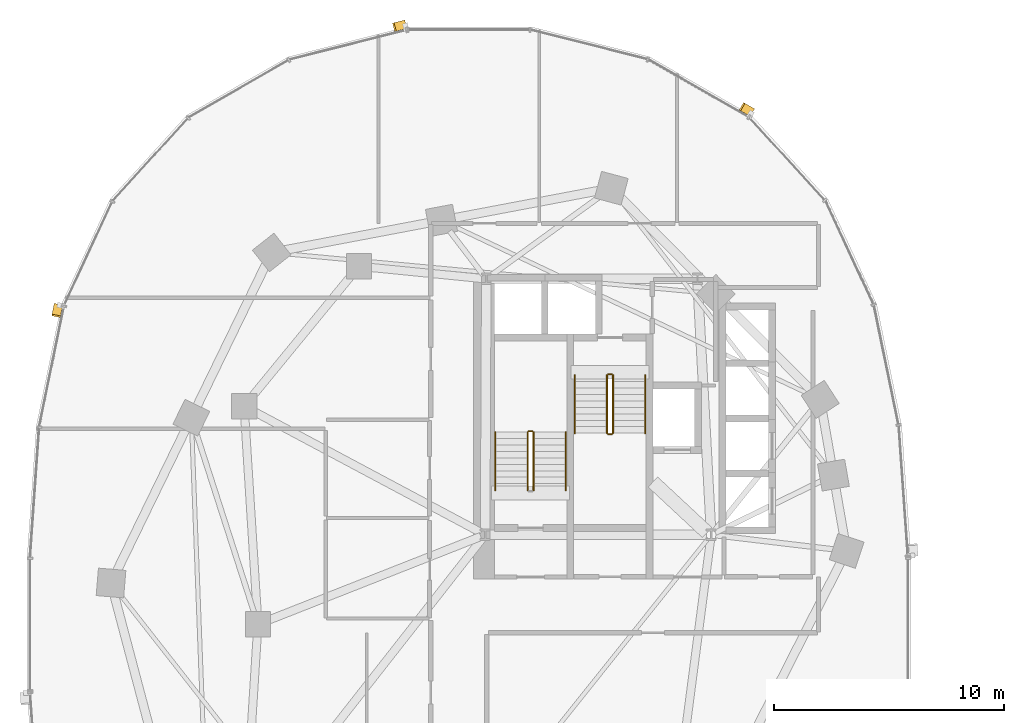
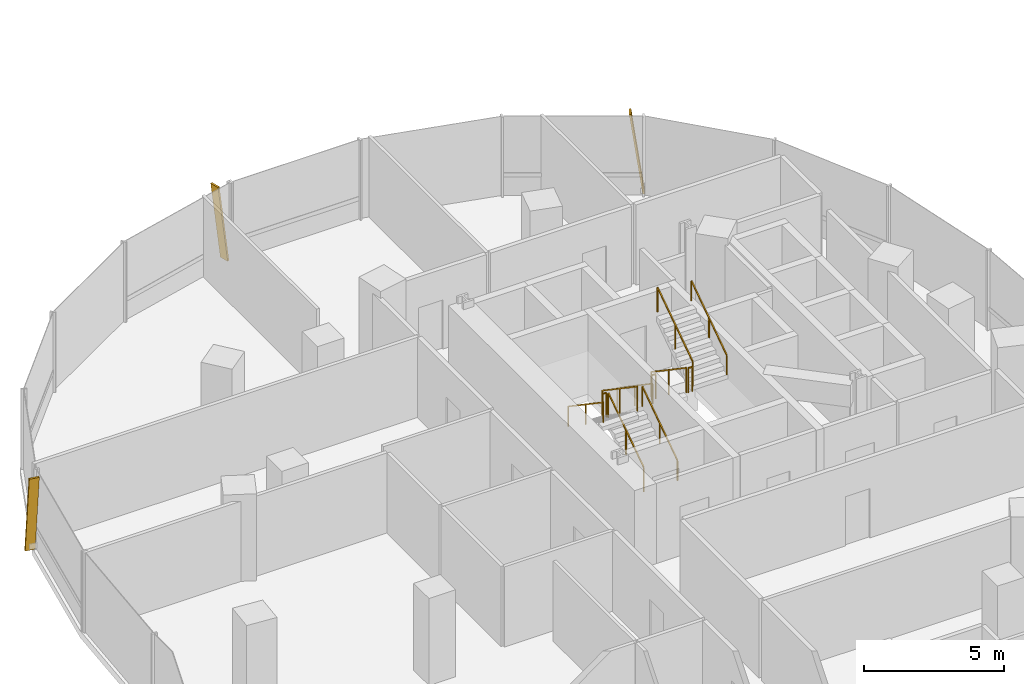
# One storey, part 20 of 22: 11 railings, 3 shading devices.
"""IFC4 building model written with IfcOpenShell, lengths in metres."""

from ifc_helpers import new_model, si_unit, direction, frame, origin, origin_2d, place, context, subcontext, project, spatial, rectangle, extrude, material, material_profile, profile_set, type_object, element, save


model = new_model("IFC4")

# Units and contexts
model_context = context("Model", 3, precision=1e-05, world=origin(), true_north=direction((0.0, 1.0)))
body_context = subcontext(model_context, "Body", "Model", "MODEL_VIEW")
ifc_project = project(units=[si_unit("LENGTHUNIT", "METRE"), si_unit("AREAUNIT", "SQUARE_METRE"), si_unit("VOLUMEUNIT", "CUBIC_METRE"), si_unit("PLANEANGLEUNIT", "RADIAN"), si_unit("MASSUNIT", "GRAM", prefix="KILO"), si_unit("THERMODYNAMICTEMPERATUREUNIT", "KELVIN"), si_unit("POWERUNIT", "WATT")], contexts=[model_context])

# Site, building, storey
site_placement = place(None, origin())
site = spatial("IfcSite", under=ifc_project, at=site_placement, CompositionType="ELEMENT")
building_placement = place(site_placement, origin())
building = spatial("IfcBuilding", under=site, at=building_placement, Name="Cundina Bronze Exchange", CompositionType="ELEMENT")
storey_placement = place(building_placement, frame((0.0, 0.0, 35.39990234375)))
storey = spatial("IfcBuildingStorey", under=building, at=storey_placement, Name="L08", CompositionType="ELEMENT", Elevation=35.39990234375)

# Railings
ifc_material_1 = material(Name="Steel ASTM A36 Painted", Category="steel")
railing_type_1 = type_object("IfcRailingType", Name="RLG-HND-900", PredefinedType="HANDRAIL", material=ifc_material_1)
railing_1_placement = place(storey_placement, frame((-27.7900390625, 5.85009765625, 0.190185546875)))
element("IfcRailing", 1, at=railing_1_placement, inside=storey, type_object=railing_type_1, Name="L08 ST-W1 stair handrail 1", PredefinedType="HANDRAIL", context=body_context, shape_type="SweptSolid", body=[
    extrude(rectangle(XDim=0.048095703125, YDim=0.048095703125, at=origin_2d()), frame((0.0, 0.0, 0.8759765625), z_axis=(0.0, 0.827483756001, 0.561489655786), x_axis=(-1.0, 0.0, 0.0)), (0.0, 0.0, 1.0), 3.04541015625),
    extrude(rectangle(XDim=0.0419921875, YDim=0.0419921875, at=origin_2d()), origin(), (0.0, 0.0, 1.0), 0.851806640625),
    extrude(rectangle(XDim=0.0419921875, YDim=0.0419921875, at=origin_2d()), frame((0.0, 1.260009765625, 0.85498046875)), (0.0, 0.0, 1.0), 0.851806640625),
    extrude(rectangle(XDim=0.0419921875, YDim=0.0419921875, at=origin_2d()), frame((0.0, 2.52001953125, 1.7099609375)), (0.0, 0.0, 1.0), 0.851806640625),
])
for number, where, name in (
    (2, (-30.85009765625, 8.3701171875, 2.090087890625), "L08 ST-W1 stair handrail 2"),
    (3, (-27.389892578125, 10.85009765625, 0.190185546875), "L08 ST-W2 stair handrail 1"),
):
    element("IfcRailing", number, at=place(storey_placement, frame(where)), inside=storey, type_object=railing_type_1, Name=name, PredefinedType="HANDRAIL", context=body_context, shape_type="SweptSolid", body=[
        extrude(rectangle(XDim=0.048095703125, YDim=0.048095703125, at=origin_2d()), frame((0.0, 0.0, 0.8759765625), z_axis=(0.0, -0.827483756001, 0.561489655786), x_axis=(1.0, 0.0, 0.0)), (0.0, 0.0, 1.0), 3.04541015625),
        extrude(rectangle(XDim=0.0419921875, YDim=0.0419921875, at=origin_2d()), origin(), (0.0, 0.0, 1.0), 0.851806640625),
        extrude(rectangle(XDim=0.0419921875, YDim=0.0419921875, at=origin_2d()), frame((0.0, -1.260009765625, 0.85498046875)), (0.0, 0.0, 1.0), 0.851806640625),
        extrude(rectangle(XDim=0.0419921875, YDim=0.0419921875, at=origin_2d()), frame((0.0, -2.52001953125, 1.7099609375)), (0.0, 0.0, 1.0), 0.851806640625),
    ])
railing_2_placement = place(storey_placement, frame((-24.330078125, 8.330078125, 2.090087890625)))
element("IfcRailing", 4, at=railing_2_placement, inside=storey, type_object=railing_type_1, Name="L08 ST-W2 stair handrail 2", PredefinedType="HANDRAIL", context=body_context, shape_type="SweptSolid", body=[
    extrude(rectangle(XDim=0.048095703125, YDim=0.048095703125, at=origin_2d()), frame((0.0, 0.0, 0.8759765625), z_axis=(0.0, 0.827483756001, 0.561489655786), x_axis=(-1.0, 0.0, 0.0)), (0.0, 0.0, 1.0), 3.04541015625),
    extrude(rectangle(XDim=0.0419921875, YDim=0.0419921875, at=origin_2d()), origin(), (0.0, 0.0, 1.0), 0.851806640625),
    extrude(rectangle(XDim=0.0419921875, YDim=0.0419921875, at=origin_2d()), frame((0.0, 1.260009765625, 0.85498046875)), (0.0, 0.0, 1.0), 0.851806640625),
    extrude(rectangle(XDim=0.0419921875, YDim=0.0419921875, at=origin_2d()), frame((0.0, 2.52001953125, 1.7099609375)), (0.0, 0.0, 1.0), 0.851806640625),
])
railing_type_2 = type_object("IfcRailingType", Name="RLG-STG-1100", PredefinedType="GUARDRAIL", material=ifc_material_1)
railing_3_placement = place(storey_placement, frame((-29.18994140625, 5.85009765625, 0.190185546875)))
element("IfcRailing", 5, at=railing_3_placement, inside=storey, type_object=railing_type_2, Name="L08 ST-W1 stair guard 1", PredefinedType="GUARDRAIL", context=body_context, shape_type="SweptSolid", body=[
    extrude(rectangle(XDim=0.048095703125, YDim=0.048095703125, at=origin_2d()), frame((0.0, 0.0, 1.076171875), z_axis=(0.0, 0.827483756001, 0.561489655786), x_axis=(-1.0, 0.0, 0.0)), (0.0, 0.0, 1.0), 3.04541015625),
    extrude(rectangle(XDim=0.0419921875, YDim=0.0419921875, at=origin_2d()), origin(), (0.0, 0.0, 1.0), 1.052001953125),
    extrude(rectangle(XDim=0.0419921875, YDim=0.0419921875, at=origin_2d()), frame((0.0, 1.260009765625, 0.85498046875)), (0.0, 0.0, 1.0), 1.052001953125),
    extrude(rectangle(XDim=0.0419921875, YDim=0.0419921875, at=origin_2d()), frame((0.0, 2.52001953125, 1.7099609375)), (0.0, 0.0, 1.0), 1.052001953125),
])
railing_4_placement = place(storey_placement, frame((-29.239990234375, 8.419921875, 1.900146484375)))
element("IfcRailing", 6, at=railing_4_placement, inside=storey, type_object=railing_type_2, Name="L08 ST-W1 stair guard 2", PredefinedType="GUARDRAIL", context=body_context, shape_type="SweptSolid", body=[
    extrude(rectangle(XDim=0.048095703125, YDim=0.048095703125, at=origin_2d()), frame((0.0, 0.0, 1.076171875), z_axis=(-1.0, 0.0, 0.0), x_axis=(0.0, -1.0, 0.0)), (0.0, 0.0, 1.0), 0.159912109375),
    extrude(rectangle(XDim=0.0419921875, YDim=0.0419921875, at=origin_2d()), origin(), (0.0, 0.0, 1.0), 1.052001953125),
    extrude(rectangle(XDim=0.0419921875, YDim=0.0419921875, at=origin_2d()), frame((-0.159912109375, 0.0, 0.0)), (0.0, 0.0, 1.0), 1.052001953125),
])
for number, where, name in (
    (7, (-29.449951171875, 8.3701171875, 2.090087890625), "L08 ST-W1 stair guard 3"),
    (8, (-25.989990234375, 10.85009765625, 0.190185546875), "L08 ST-W2 stair guard 1"),
):
    element("IfcRailing", number, at=place(storey_placement, frame(where)), inside=storey, type_object=railing_type_2, Name=name, PredefinedType="GUARDRAIL", context=body_context, shape_type="SweptSolid", body=[
        extrude(rectangle(XDim=0.048095703125, YDim=0.048095703125, at=origin_2d()), frame((0.0, 0.0, 1.076171875), z_axis=(0.0, -0.827483756001, 0.561489655786), x_axis=(1.0, 0.0, 0.0)), (0.0, 0.0, 1.0), 3.04541015625),
        extrude(rectangle(XDim=0.0419921875, YDim=0.0419921875, at=origin_2d()), origin(), (0.0, 0.0, 1.0), 1.052001953125),
        extrude(rectangle(XDim=0.0419921875, YDim=0.0419921875, at=origin_2d()), frame((0.0, -1.260009765625, 0.85498046875)), (0.0, 0.0, 1.0), 1.052001953125),
        extrude(rectangle(XDim=0.0419921875, YDim=0.0419921875, at=origin_2d()), frame((0.0, -2.52001953125, 1.7099609375)), (0.0, 0.0, 1.0), 1.052001953125),
    ])
railing_5_placement = place(storey_placement, frame((-25.93994140625, 8.280029296875, 1.900146484375)))
element("IfcRailing", 9, at=railing_5_placement, inside=storey, type_object=railing_type_2, Name="L08 ST-W2 stair guard 2", PredefinedType="GUARDRAIL", context=body_context, shape_type="SweptSolid", body=[
    extrude(rectangle(XDim=0.048095703125, YDim=0.048095703125, at=origin_2d()), frame((0.0, 0.0, 1.076171875), z_axis=(1.0, 0.0, 0.0), x_axis=(0.0, 1.0, 0.0)), (0.0, 0.0, 1.0), 0.159912109375),
    extrude(rectangle(XDim=0.0419921875, YDim=0.0419921875, at=origin_2d()), origin(), (0.0, 0.0, 1.0), 1.052001953125),
    extrude(rectangle(XDim=0.0419921875, YDim=0.0419921875, at=origin_2d()), frame((0.159912109375, 0.0, 0.0)), (0.0, 0.0, 1.0), 1.052001953125),
])
railing_6_placement = place(storey_placement, frame((-25.72998046875, 8.330078125, 2.090087890625)))
element("IfcRailing", 10, at=railing_6_placement, inside=storey, type_object=railing_type_2, Name="L08 ST-W2 stair guard 3", PredefinedType="GUARDRAIL", context=body_context, shape_type="SweptSolid", body=[
    extrude(rectangle(XDim=0.048095703125, YDim=0.048095703125, at=origin_2d()), frame((0.0, 0.0, 1.076171875), z_axis=(0.0, 0.827483756001, 0.561489655786), x_axis=(-1.0, 0.0, 0.0)), (0.0, 0.0, 1.0), 3.04541015625),
    extrude(rectangle(XDim=0.0419921875, YDim=0.0419921875, at=origin_2d()), origin(), (0.0, 0.0, 1.0), 1.052001953125),
    extrude(rectangle(XDim=0.0419921875, YDim=0.0419921875, at=origin_2d()), frame((0.0, 1.260009765625, 0.85498046875)), (0.0, 0.0, 1.0), 1.052001953125),
    extrude(rectangle(XDim=0.0419921875, YDim=0.0419921875, at=origin_2d()), frame((0.0, 2.52001953125, 1.7099609375)), (0.0, 0.0, 1.0), 1.052001953125),
])
railing_7_placement = place(storey_placement, frame((-25.93994140625, 10.89990234375, 0.0)))
element("IfcRailing", 11, at=railing_7_placement, inside=storey, type_object=railing_type_2, Name="L08 ST-W2 stair guard 4", PredefinedType="GUARDRAIL", context=body_context, shape_type="SweptSolid", body=[
    extrude(rectangle(XDim=0.048095703125, YDim=0.048095703125, at=origin_2d()), frame((0.0, 0.0, 1.076171875), z_axis=(1.0, 0.0, 0.0), x_axis=(0.0, 1.0, 0.0)), (0.0, 0.0, 1.0), 0.159912109375),
    extrude(rectangle(XDim=0.0419921875, YDim=0.0419921875, at=origin_2d()), origin(), (0.0, 0.0, 1.0), 1.052001953125),
    extrude(rectangle(XDim=0.0419921875, YDim=0.0419921875, at=origin_2d()), frame((0.159912109375, 0.0, 0.0)), (0.0, 0.0, 1.0), 1.052001953125),
])

# Shading devices
ifc_material_2 = material(Name="Anodised Bronze Aluminium 6063-T6", Category="aluminium")
ifc_material_profile = material_profile(ifc_material_2, rectangle(XDim=0.070068359375, YDim=0.3798828125, at=origin_2d()), Name="FIN70X380", Category="aluminium")
ifc_profile_set = profile_set([ifc_material_profile], Name="Anodised Bronze Aluminium 6063-T6")
shading_device_type = type_object("IfcShadingDeviceType", Name="SHD-FIN-BRZ380", PredefinedType="USERDEFINED", material=ifc_profile_set)
for number, where, z_axis, x_axis, name in (
    (12, (-19.685791015625, 22.314208984375, 0.02001953125), (-0.119166378275, 0.06842456559, 0.990513731915), (0.85898178632, -0.493221799887, 0.137413779831), "L08 Diagonal Bronze Solar Fin 5"),
    (13, (-34.787353515625, 26.138427734375, 0.02001953125), (-0.133214830938, -0.033688115694, 0.990514472221), (0.960284642503, 0.242842181368, 0.137408443412), "L08 Diagonal Bronze Solar Fin 1"),
    (14, (-49.89599609375, 13.911865234375, 0.02001953125), (-0.027747134956, -0.134612045151, 0.990509815096), (0.199966585563, 0.970114971774, 0.137442010309), "L08 Diagonal Bronze Solar Fin 5"),
):
    element("IfcShadingDevice", number, at=place(storey_placement, frame(where, z_axis=z_axis, x_axis=x_axis)), inside=storey, type_object=shading_device_type, Name=name, ObjectType="FIN", PredefinedType="USERDEFINED", context=body_context, shape_type="SweptSolid", body=[
        extrude(rectangle(XDim=0.070068359375, YDim=0.3798828125, at=origin_2d()), origin(), (0.0, 0.0, 1.0), 3.4931640625),
    ])

save(model, "model.ifc")
